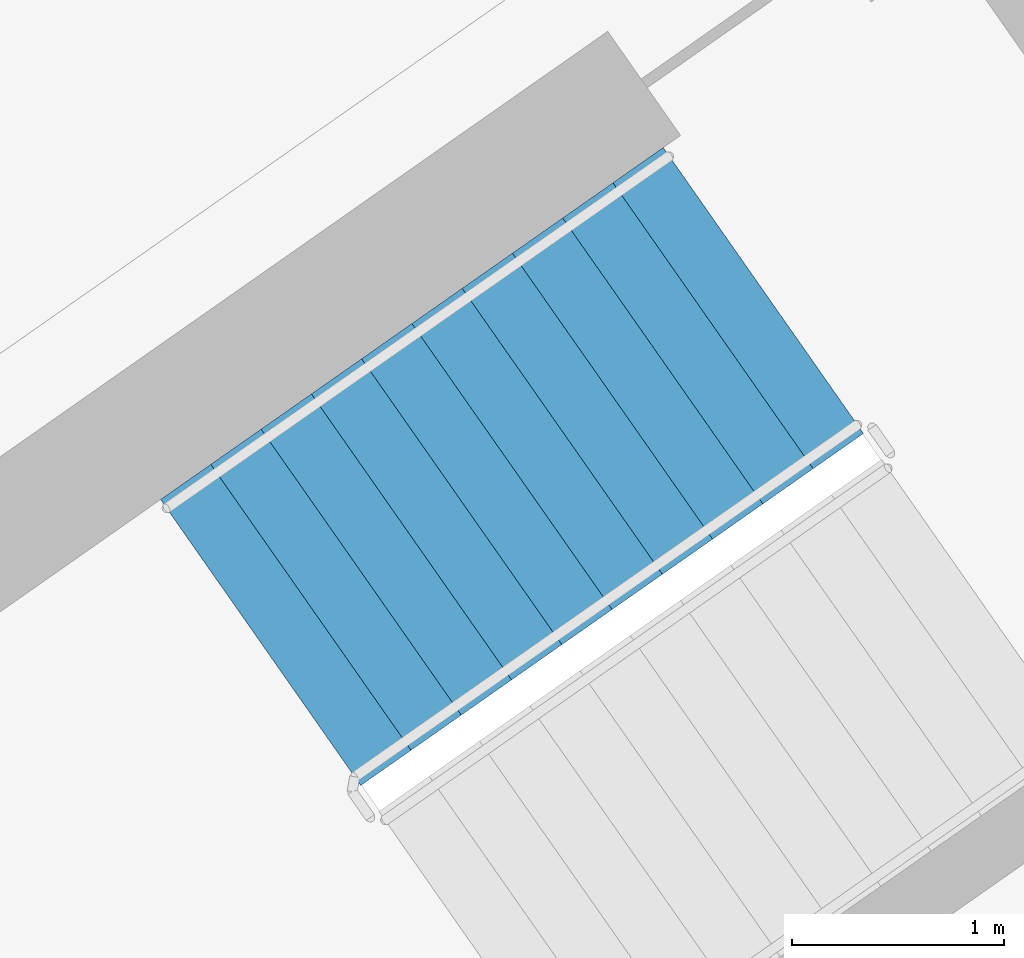
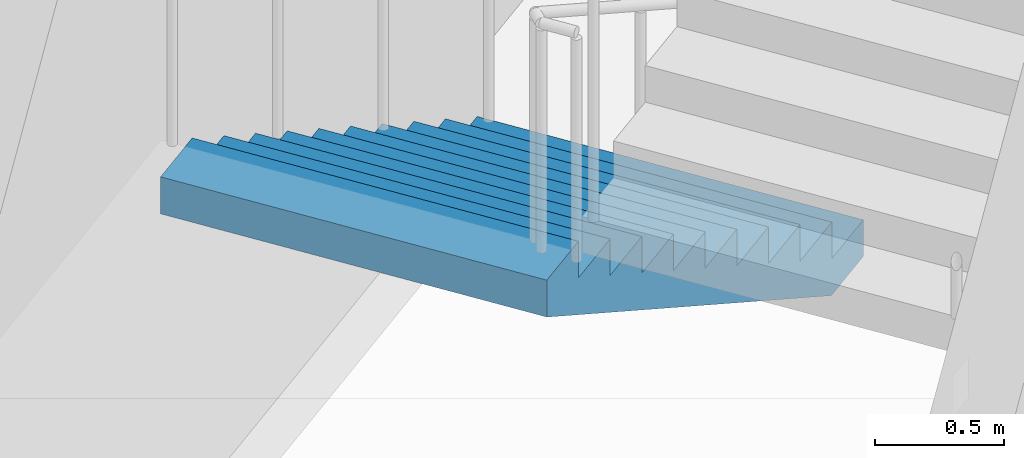
# One storey, part 17 of 28: 1 stair flight, 1 element without a shape of its own.
"""IFC4 building model written with IfcOpenShell, lengths in metres."""

from ifc_helpers import new_model, si_unit, direction, frame, origin, place, context, subcontext, project, spatial, faceted_brep, material, type_object, element, aggregate, save


model = new_model("IFC4")

# Units and contexts
model_context = context("Model", 3, precision=1e-05, world=origin(), true_north=direction((0.0, 1.0)))
body_context = subcontext(model_context, "Body", "Model", "MODEL_VIEW")
ifc_project = project(units=[si_unit("LENGTHUNIT", "METRE"), si_unit("AREAUNIT", "SQUARE_METRE"), si_unit("VOLUMEUNIT", "CUBIC_METRE"), si_unit("PLANEANGLEUNIT", "RADIAN"), si_unit("MASSUNIT", "GRAM", prefix="KILO")], contexts=[model_context])

# Site, building, storey
site_placement = place(None, origin())
site = spatial("IfcSite", under=ifc_project, at=site_placement, CompositionType="ELEMENT")
building_placement = place(site_placement, origin())
building = spatial("IfcBuilding", under=site, at=building_placement, Name="Qamariyya Broadcast Tower", CompositionType="ELEMENT")
storey_placement = place(building_placement, frame((0.0, 0.0, 230.300048828125)))
storey = spatial("IfcBuildingStorey", under=building, at=storey_placement, Name="L55", CompositionType="ELEMENT", Elevation=230.300048828125)

# Stair, stair flight
ifc_material = material(Name="Concrete C50/60", Category="concrete")
stair_type = type_object("IfcStairType", Name="Exit stair 22 risers of 173 mm", PredefinedType="HALF_TURN_STAIR", material=ifc_material)
stair_placement = place(storey_placement, origin())
stair = element("IfcStair", 1, at=stair_placement, inside=storey, type_object=stair_type, Name="L55 Stair E2", PredefinedType="HALF_TURN_STAIR")
stair_flight_type = type_object("IfcStairFlightType", Name="Exit stair flight 11 risers of 173 mm", PredefinedType="STRAIGHT", material=ifc_material)
stair_flight_placement = place(storey_placement, frame((40.558837890625, -47.685302734375, 0.0), z_axis=(0.0, 0.0, 1.0), x_axis=(-0.819152044289, -0.573576436351, 0.0)))
stair_flight = element("IfcStairFlight", 2, at=stair_flight_placement, type_object=stair_flight_type, Name="ST-E2 flight 1", NumberOfRisers=11, NumberOfTreads=10, PredefinedType="STRAIGHT", RiserHeight=0.172727273, TreadLength=0.29, context=body_context, shape_type="Brep", body=[
    faceted_brep([(0.0, 0.824951171875, 0.0), (0.0, 0.824951171875, 0.172607421875), (0.2900390625, 0.824951171875, 0.172607421875), (0.2900390625, 0.824951171875, 0.345458984375), (0.580078125, 0.824951171875, 0.345458984375), (0.580078125, 0.824951171875, 0.51806640625), (0.8701171875, 0.824951171875, 0.51806640625), (0.8701171875, 0.824951171875, 0.69091796875), (1.159912109375, 0.824951171875, 0.69091796875), (1.159912109375, 0.824951171875, 0.863525390625), (1.449951171875, 0.824951171875, 0.863525390625), (1.449951171875, 0.824951171875, 1.036376953125), (1.739990234375, 0.824951171875, 1.036376953125), (1.739990234375, 0.824951171875, 1.208984375), (2.030029296875, 0.824951171875, 1.208984375), (2.030029296875, 0.824951171875, 1.3818359375), (2.320068359375, 0.824951171875, 1.3818359375), (2.320068359375, 0.824951171875, 1.554443359375), (2.610107421875, 0.824951171875, 1.554443359375), (2.610107421875, 0.824951171875, 1.727294921875), (2.89990234375, 0.824951171875, 1.727294921875), (2.89990234375, 0.824951171875, 1.552734375), (0.29296875, 0.824951171875, 0.0), (0.29296875, -0.824951171875, 0.0), (2.89990234375, -0.824951171875, 1.552734375), (2.89990234375, -0.824951171875, 1.727294921875), (2.610107421875, -0.824951171875, 1.727294921875), (2.610107421875, -0.824951171875, 1.554443359375), (2.320068359375, -0.824951171875, 1.554443359375), (2.320068359375, -0.824951171875, 1.3818359375), (2.030029296875, -0.824951171875, 1.3818359375), (2.030029296875, -0.824951171875, 1.208984375), (1.739990234375, -0.824951171875, 1.208984375), (1.739990234375, -0.824951171875, 1.036376953125), (1.449951171875, -0.824951171875, 1.036376953125), (1.449951171875, -0.824951171875, 0.863525390625), (1.159912109375, -0.824951171875, 0.863525390625), (1.159912109375, -0.824951171875, 0.69091796875), (0.8701171875, -0.824951171875, 0.69091796875), (0.8701171875, -0.824951171875, 0.51806640625), (0.580078125, -0.824951171875, 0.51806640625), (0.580078125, -0.824951171875, 0.345458984375), (0.2900390625, -0.824951171875, 0.345458984375), (0.2900390625, -0.824951171875, 0.172607421875), (0.0, -0.824951171875, 0.172607421875), (0.0, -0.824951171875, 0.0), (0.0, 0.10009765625, 0.0), (0.0, 0.086669921875, 0.0), (0.0, 0.0732421875, 0.0), (0.0, 0.06005859375, 0.0), (0.0, 0.046630859375, 0.0), (0.0, 0.033447265625, 0.0), (0.0, 0.02001953125, 0.0), (0.0, 0.006591796875, 0.0), (0.0, -0.006591796875, 0.0), (0.0, -0.02001953125, 0.0), (0.0, -0.033447265625, 0.0), (0.0, -0.046630859375, 0.0), (0.0, -0.06005859375, 0.0), (0.0, -0.0732421875, 0.0), (0.0, -0.086669921875, 0.0), (0.0, -0.10009765625, 0.0), (0.0, -0.10009765625, 0.172607421875), (0.0, -0.086669921875, 0.172607421875), (0.0, -0.0732421875, 0.172607421875), (0.0, -0.06005859375, 0.172607421875), (0.0, -0.046630859375, 0.172607421875), (0.0, -0.033447265625, 0.172607421875), (0.0, -0.02001953125, 0.172607421875), (0.0, -0.006591796875, 0.172607421875), (0.0, 0.006591796875, 0.172607421875), (0.0, 0.02001953125, 0.172607421875), (0.0, 0.033447265625, 0.172607421875), (0.0, 0.046630859375, 0.172607421875), (0.0, 0.06005859375, 0.172607421875), (0.0, 0.0732421875, 0.172607421875), (0.0, 0.086669921875, 0.172607421875), (0.0, 0.10009765625, 0.172607421875), (0.2900390625, -0.10009765625, 0.172607421875), (0.2900390625, -0.086669921875, 0.172607421875), (0.2900390625, -0.0732421875, 0.172607421875), (0.2900390625, -0.06005859375, 0.172607421875), (0.2900390625, -0.046630859375, 0.172607421875), (0.2900390625, -0.033447265625, 0.172607421875), (0.2900390625, -0.02001953125, 0.172607421875), (0.2900390625, -0.006591796875, 0.172607421875), (0.2900390625, 0.006591796875, 0.172607421875), (0.2900390625, 0.02001953125, 0.172607421875), (0.2900390625, 0.033447265625, 0.172607421875), (0.2900390625, 0.046630859375, 0.172607421875), (0.2900390625, 0.06005859375, 0.172607421875), (0.2900390625, 0.0732421875, 0.172607421875), (0.2900390625, 0.086669921875, 0.172607421875), (0.2900390625, 0.10009765625, 0.172607421875), (0.2900390625, -0.10009765625, 0.345458984375), (0.2900390625, -0.086669921875, 0.345458984375), (0.2900390625, -0.0732421875, 0.345458984375), (0.2900390625, -0.06005859375, 0.345458984375), (0.2900390625, -0.046630859375, 0.345458984375), (0.2900390625, -0.033447265625, 0.345458984375), (0.2900390625, -0.02001953125, 0.345458984375), (0.2900390625, -0.006591796875, 0.345458984375), (0.2900390625, 0.006591796875, 0.345458984375), (0.2900390625, 0.02001953125, 0.345458984375), (0.2900390625, 0.033447265625, 0.345458984375), (0.2900390625, 0.046630859375, 0.345458984375), (0.2900390625, 0.06005859375, 0.345458984375), (0.2900390625, 0.0732421875, 0.345458984375), (0.2900390625, 0.086669921875, 0.345458984375), (0.2900390625, 0.10009765625, 0.345458984375), (0.580078125, -0.10009765625, 0.345458984375), (0.580078125, -0.086669921875, 0.345458984375), (0.580078125, -0.0732421875, 0.345458984375), (0.580078125, -0.06005859375, 0.345458984375), (0.580078125, -0.046630859375, 0.345458984375), (0.580078125, -0.033447265625, 0.345458984375), (0.580078125, -0.02001953125, 0.345458984375), (0.580078125, -0.006591796875, 0.345458984375), (0.580078125, 0.006591796875, 0.345458984375), (0.580078125, 0.02001953125, 0.345458984375), (0.580078125, 0.033447265625, 0.345458984375), (0.580078125, 0.046630859375, 0.345458984375), (0.580078125, 0.06005859375, 0.345458984375), (0.580078125, 0.0732421875, 0.345458984375), (0.580078125, 0.086669921875, 0.345458984375), (0.580078125, 0.10009765625, 0.345458984375), (0.580078125, -0.10009765625, 0.51806640625), (0.580078125, -0.086669921875, 0.51806640625), (0.580078125, -0.0732421875, 0.51806640625), (0.580078125, -0.06005859375, 0.51806640625), (0.580078125, -0.046630859375, 0.51806640625), (0.580078125, -0.033447265625, 0.51806640625), (0.580078125, -0.02001953125, 0.51806640625), (0.580078125, -0.006591796875, 0.51806640625), (0.580078125, 0.006591796875, 0.51806640625), (0.580078125, 0.02001953125, 0.51806640625), (0.580078125, 0.033447265625, 0.51806640625), (0.580078125, 0.046630859375, 0.51806640625), (0.580078125, 0.06005859375, 0.51806640625), (0.580078125, 0.0732421875, 0.51806640625), (0.580078125, 0.086669921875, 0.51806640625), (0.580078125, 0.10009765625, 0.51806640625), (0.8701171875, -0.10009765625, 0.51806640625), (0.8701171875, -0.086669921875, 0.51806640625), (0.8701171875, -0.0732421875, 0.51806640625), (0.8701171875, -0.06005859375, 0.51806640625), (0.8701171875, -0.046630859375, 0.51806640625), (0.8701171875, -0.033447265625, 0.51806640625), (0.8701171875, -0.02001953125, 0.51806640625), (0.8701171875, -0.006591796875, 0.51806640625), (0.8701171875, 0.006591796875, 0.51806640625), (0.8701171875, 0.02001953125, 0.51806640625), (0.8701171875, 0.033447265625, 0.51806640625), (0.8701171875, 0.046630859375, 0.51806640625), (0.8701171875, 0.06005859375, 0.51806640625), (0.8701171875, 0.0732421875, 0.51806640625), (0.8701171875, 0.086669921875, 0.51806640625), (0.8701171875, 0.10009765625, 0.51806640625), (0.8701171875, -0.10009765625, 0.69091796875), (0.8701171875, -0.086669921875, 0.69091796875), (0.8701171875, -0.0732421875, 0.69091796875), (0.8701171875, -0.06005859375, 0.69091796875), (0.8701171875, -0.046630859375, 0.69091796875), (0.8701171875, -0.033447265625, 0.69091796875), (0.8701171875, -0.02001953125, 0.69091796875), (0.8701171875, -0.006591796875, 0.69091796875), (0.8701171875, 0.006591796875, 0.69091796875), (0.8701171875, 0.02001953125, 0.69091796875), (0.8701171875, 0.033447265625, 0.69091796875), (0.8701171875, 0.046630859375, 0.69091796875), (0.8701171875, 0.06005859375, 0.69091796875), (0.8701171875, 0.0732421875, 0.69091796875), (0.8701171875, 0.086669921875, 0.69091796875), (0.8701171875, 0.10009765625, 0.69091796875), (1.159912109375, -0.10009765625, 0.69091796875), (1.159912109375, -0.086669921875, 0.69091796875), (1.159912109375, -0.0732421875, 0.69091796875), (1.159912109375, -0.06005859375, 0.69091796875), (1.159912109375, -0.046630859375, 0.69091796875), (1.159912109375, -0.033447265625, 0.69091796875), (1.159912109375, -0.02001953125, 0.69091796875), (1.159912109375, -0.006591796875, 0.69091796875), (1.159912109375, 0.006591796875, 0.69091796875), (1.159912109375, 0.02001953125, 0.69091796875), (1.159912109375, 0.033447265625, 0.69091796875), (1.159912109375, 0.046630859375, 0.69091796875), (1.159912109375, 0.06005859375, 0.69091796875), (1.159912109375, 0.0732421875, 0.69091796875), (1.159912109375, 0.086669921875, 0.69091796875), (1.159912109375, 0.10009765625, 0.69091796875), (1.159912109375, -0.10009765625, 0.863525390625), (1.159912109375, -0.086669921875, 0.863525390625), (1.159912109375, -0.0732421875, 0.863525390625), (1.159912109375, -0.06005859375, 0.863525390625), (1.159912109375, -0.046630859375, 0.863525390625), (1.159912109375, -0.033447265625, 0.863525390625), (1.159912109375, -0.02001953125, 0.863525390625), (1.159912109375, -0.006591796875, 0.863525390625), (1.159912109375, 0.006591796875, 0.863525390625), (1.159912109375, 0.02001953125, 0.863525390625), (1.159912109375, 0.033447265625, 0.863525390625), (1.159912109375, 0.046630859375, 0.863525390625), (1.159912109375, 0.06005859375, 0.863525390625), (1.159912109375, 0.0732421875, 0.863525390625), (1.159912109375, 0.086669921875, 0.863525390625), (1.159912109375, 0.10009765625, 0.863525390625), (1.449951171875, -0.10009765625, 0.863525390625), (1.449951171875, -0.086669921875, 0.863525390625), (1.449951171875, -0.0732421875, 0.863525390625), (1.449951171875, -0.06005859375, 0.863525390625), (1.449951171875, -0.046630859375, 0.863525390625), (1.449951171875, -0.033447265625, 0.863525390625), (1.449951171875, -0.02001953125, 0.863525390625), (1.449951171875, -0.006591796875, 0.863525390625), (1.449951171875, 0.006591796875, 0.863525390625), (1.449951171875, 0.02001953125, 0.863525390625), (1.449951171875, 0.033447265625, 0.863525390625), (1.449951171875, 0.046630859375, 0.863525390625), (1.449951171875, 0.06005859375, 0.863525390625), (1.449951171875, 0.0732421875, 0.863525390625), (1.449951171875, 0.086669921875, 0.863525390625), (1.449951171875, 0.10009765625, 0.863525390625), (1.449951171875, -0.10009765625, 1.036376953125), (1.449951171875, -0.086669921875, 1.036376953125), (1.449951171875, -0.0732421875, 1.036376953125), (1.449951171875, -0.06005859375, 1.036376953125), (1.449951171875, -0.046630859375, 1.036376953125), (1.449951171875, -0.033447265625, 1.036376953125), (1.449951171875, -0.02001953125, 1.036376953125), (1.449951171875, -0.006591796875, 1.036376953125), (1.449951171875, 0.006591796875, 1.036376953125), (1.449951171875, 0.02001953125, 1.036376953125), (1.449951171875, 0.033447265625, 1.036376953125), (1.449951171875, 0.046630859375, 1.036376953125), (1.449951171875, 0.06005859375, 1.036376953125), (1.449951171875, 0.0732421875, 1.036376953125), (1.449951171875, 0.086669921875, 1.036376953125), (1.449951171875, 0.10009765625, 1.036376953125), (1.739990234375, -0.10009765625, 1.036376953125), (1.739990234375, -0.086669921875, 1.036376953125), (1.739990234375, -0.0732421875, 1.036376953125), (1.739990234375, -0.06005859375, 1.036376953125), (1.739990234375, -0.046630859375, 1.036376953125), (1.739990234375, -0.033447265625, 1.036376953125), (1.739990234375, -0.02001953125, 1.036376953125), (1.739990234375, -0.006591796875, 1.036376953125), (1.739990234375, 0.006591796875, 1.036376953125), (1.739990234375, 0.02001953125, 1.036376953125), (1.739990234375, 0.033447265625, 1.036376953125), (1.739990234375, 0.046630859375, 1.036376953125), (1.739990234375, 0.06005859375, 1.036376953125), (1.739990234375, 0.0732421875, 1.036376953125), (1.739990234375, 0.086669921875, 1.036376953125), (1.739990234375, 0.10009765625, 1.036376953125), (1.739990234375, -0.10009765625, 1.208984375), (1.739990234375, -0.086669921875, 1.208984375), (1.739990234375, -0.0732421875, 1.208984375), (1.739990234375, -0.06005859375, 1.208984375), (1.739990234375, -0.046630859375, 1.208984375), (1.739990234375, -0.033447265625, 1.208984375), (1.739990234375, -0.02001953125, 1.208984375), (1.739990234375, -0.006591796875, 1.208984375), (1.739990234375, 0.006591796875, 1.208984375), (1.739990234375, 0.02001953125, 1.208984375), (1.739990234375, 0.033447265625, 1.208984375), (1.739990234375, 0.046630859375, 1.208984375), (1.739990234375, 0.06005859375, 1.208984375), (1.739990234375, 0.0732421875, 1.208984375), (1.739990234375, 0.086669921875, 1.208984375), (1.739990234375, 0.10009765625, 1.208984375), (2.030029296875, -0.10009765625, 1.208984375), (2.030029296875, -0.086669921875, 1.208984375), (2.030029296875, -0.0732421875, 1.208984375), (2.030029296875, -0.06005859375, 1.208984375), (2.030029296875, -0.046630859375, 1.208984375), (2.030029296875, -0.033447265625, 1.208984375), (2.030029296875, -0.02001953125, 1.208984375), (2.030029296875, -0.006591796875, 1.208984375), (2.030029296875, 0.006591796875, 1.208984375), (2.030029296875, 0.02001953125, 1.208984375), (2.030029296875, 0.033447265625, 1.208984375), (2.030029296875, 0.046630859375, 1.208984375), (2.030029296875, 0.06005859375, 1.208984375), (2.030029296875, 0.0732421875, 1.208984375), (2.030029296875, 0.086669921875, 1.208984375), (2.030029296875, 0.10009765625, 1.208984375), (2.030029296875, -0.10009765625, 1.3818359375), (2.030029296875, -0.086669921875, 1.3818359375), (2.030029296875, -0.0732421875, 1.3818359375), (2.030029296875, -0.06005859375, 1.3818359375), (2.030029296875, -0.046630859375, 1.3818359375), (2.030029296875, -0.033447265625, 1.3818359375), (2.030029296875, -0.02001953125, 1.3818359375), (2.030029296875, -0.006591796875, 1.3818359375), (2.030029296875, 0.006591796875, 1.3818359375), (2.030029296875, 0.02001953125, 1.3818359375), (2.030029296875, 0.033447265625, 1.3818359375), (2.030029296875, 0.046630859375, 1.3818359375), (2.030029296875, 0.06005859375, 1.3818359375), (2.030029296875, 0.0732421875, 1.3818359375), (2.030029296875, 0.086669921875, 1.3818359375), (2.030029296875, 0.10009765625, 1.3818359375), (2.320068359375, -0.10009765625, 1.3818359375), (2.320068359375, -0.086669921875, 1.3818359375), (2.320068359375, -0.0732421875, 1.3818359375), (2.320068359375, -0.06005859375, 1.3818359375), (2.320068359375, -0.046630859375, 1.3818359375), (2.320068359375, -0.033447265625, 1.3818359375), (2.320068359375, -0.02001953125, 1.3818359375), (2.320068359375, -0.006591796875, 1.3818359375), (2.320068359375, 0.006591796875, 1.3818359375), (2.320068359375, 0.02001953125, 1.3818359375), (2.320068359375, 0.033447265625, 1.3818359375), (2.320068359375, 0.046630859375, 1.3818359375), (2.320068359375, 0.06005859375, 1.3818359375), (2.320068359375, 0.0732421875, 1.3818359375), (2.320068359375, 0.086669921875, 1.3818359375), (2.320068359375, 0.10009765625, 1.3818359375), (2.320068359375, -0.10009765625, 1.554443359375), (2.320068359375, -0.086669921875, 1.554443359375), (2.320068359375, -0.0732421875, 1.554443359375), (2.320068359375, -0.06005859375, 1.554443359375), (2.320068359375, -0.046630859375, 1.554443359375), (2.320068359375, -0.033447265625, 1.554443359375), (2.320068359375, -0.02001953125, 1.554443359375), (2.320068359375, -0.006591796875, 1.554443359375), (2.320068359375, 0.006591796875, 1.554443359375), (2.320068359375, 0.02001953125, 1.554443359375), (2.320068359375, 0.033447265625, 1.554443359375), (2.320068359375, 0.046630859375, 1.554443359375), (2.320068359375, 0.06005859375, 1.554443359375), (2.320068359375, 0.0732421875, 1.554443359375), (2.320068359375, 0.086669921875, 1.554443359375), (2.320068359375, 0.10009765625, 1.554443359375), (2.610107421875, -0.10009765625, 1.554443359375), (2.610107421875, -0.086669921875, 1.554443359375), (2.610107421875, -0.0732421875, 1.554443359375), (2.610107421875, -0.06005859375, 1.554443359375), (2.610107421875, -0.046630859375, 1.554443359375), (2.610107421875, -0.033447265625, 1.554443359375), (2.610107421875, -0.02001953125, 1.554443359375), (2.610107421875, -0.006591796875, 1.554443359375), (2.610107421875, 0.006591796875, 1.554443359375), (2.610107421875, 0.02001953125, 1.554443359375), (2.610107421875, 0.033447265625, 1.554443359375), (2.610107421875, 0.046630859375, 1.554443359375), (2.610107421875, 0.06005859375, 1.554443359375), (2.610107421875, 0.0732421875, 1.554443359375), (2.610107421875, 0.086669921875, 1.554443359375), (2.610107421875, 0.10009765625, 1.554443359375), (2.610107421875, -0.10009765625, 1.727294921875), (2.610107421875, -0.086669921875, 1.727294921875), (2.610107421875, -0.0732421875, 1.727294921875), (2.610107421875, -0.06005859375, 1.727294921875), (2.610107421875, -0.046630859375, 1.727294921875), (2.610107421875, -0.033447265625, 1.727294921875), (2.610107421875, -0.02001953125, 1.727294921875), (2.610107421875, -0.006591796875, 1.727294921875), (2.610107421875, 0.006591796875, 1.727294921875), (2.610107421875, 0.02001953125, 1.727294921875), (2.610107421875, 0.033447265625, 1.727294921875), (2.610107421875, 0.046630859375, 1.727294921875), (2.610107421875, 0.06005859375, 1.727294921875), (2.610107421875, 0.0732421875, 1.727294921875), (2.610107421875, 0.086669921875, 1.727294921875), (2.610107421875, 0.10009765625, 1.727294921875), (2.89990234375, -0.10009765625, 1.727294921875), (2.89990234375, -0.086669921875, 1.727294921875), (2.89990234375, -0.0732421875, 1.727294921875), (2.89990234375, -0.06005859375, 1.727294921875), (2.89990234375, -0.046630859375, 1.727294921875), (2.89990234375, -0.033447265625, 1.727294921875), (2.89990234375, -0.02001953125, 1.727294921875), (2.89990234375, -0.006591796875, 1.727294921875), (2.89990234375, 0.006591796875, 1.727294921875), (2.89990234375, 0.02001953125, 1.727294921875), (2.89990234375, 0.033447265625, 1.727294921875), (2.89990234375, 0.046630859375, 1.727294921875), (2.89990234375, 0.06005859375, 1.727294921875), (2.89990234375, 0.0732421875, 1.727294921875), (2.89990234375, 0.086669921875, 1.727294921875), (2.89990234375, 0.10009765625, 1.727294921875), (2.89990234375, -0.10009765625, 1.552734375), (2.89990234375, -0.086669921875, 1.552734375), (2.89990234375, -0.0732421875, 1.552734375), (2.89990234375, -0.06005859375, 1.552734375), (2.89990234375, -0.046630859375, 1.552734375), (2.89990234375, -0.033447265625, 1.552734375), (2.89990234375, -0.02001953125, 1.552734375), (2.89990234375, -0.006591796875, 1.552734375), (2.89990234375, 0.006591796875, 1.552734375), (2.89990234375, 0.02001953125, 1.552734375), (2.89990234375, 0.033447265625, 1.552734375), (2.89990234375, 0.046630859375, 1.552734375), (2.89990234375, 0.06005859375, 1.552734375), (2.89990234375, 0.0732421875, 1.552734375), (2.89990234375, 0.086669921875, 1.552734375), (2.89990234375, 0.10009765625, 1.552734375), (0.29296875, -0.10009765625, 0.0), (0.29296875, -0.086669921875, 0.0), (0.29296875, -0.0732421875, 0.0), (0.29296875, -0.06005859375, 0.0), (0.29296875, -0.046630859375, 0.0), (0.29296875, -0.033447265625, 0.0), (0.29296875, -0.02001953125, 0.0), (0.29296875, -0.006591796875, 0.0), (0.29296875, 0.006591796875, 0.0), (0.29296875, 0.02001953125, 0.0), (0.29296875, 0.033447265625, 0.0), (0.29296875, 0.046630859375, 0.0), (0.29296875, 0.06005859375, 0.0), (0.29296875, 0.0732421875, 0.0), (0.29296875, 0.086669921875, 0.0), (0.29296875, 0.10009765625, 0.0)], [[[0, 1, 2, 3, 4, 5, 6, 7, 8, 9, 10, 11, 12, 13, 14, 15, 16, 17, 18, 19, 20, 21, 22]], [[23, 24, 25, 26, 27, 28, 29, 30, 31, 32, 33, 34, 35, 36, 37, 38, 39, 40, 41, 42, 43, 44, 45]], [[0, 46, 47, 48, 49, 50, 51, 52, 53, 54, 55, 56, 57, 58, 59, 60, 61, 45, 44, 62, 63, 64, 65, 66, 67, 68, 69, 70, 71, 72, 73, 74, 75, 76, 77, 1]], [[1, 77, 76, 75, 74, 73, 72, 71, 70, 69, 68, 67, 66, 65, 64, 63, 62, 44, 43, 78, 79, 80, 81, 82, 83, 84, 85, 86, 87, 88, 89, 90, 91, 92, 93, 2]], [[2, 93, 92, 91, 90, 89, 88, 87, 86, 85, 84, 83, 82, 81, 80, 79, 78, 43, 42, 94, 95, 96, 97, 98, 99, 100, 101, 102, 103, 104, 105, 106, 107, 108, 109, 3]], [[3, 109, 108, 107, 106, 105, 104, 103, 102, 101, 100, 99, 98, 97, 96, 95, 94, 42, 41, 110, 111, 112, 113, 114, 115, 116, 117, 118, 119, 120, 121, 122, 123, 124, 125, 4]], [[4, 125, 124, 123, 122, 121, 120, 119, 118, 117, 116, 115, 114, 113, 112, 111, 110, 41, 40, 126, 127, 128, 129, 130, 131, 132, 133, 134, 135, 136, 137, 138, 139, 140, 141, 5]], [[5, 141, 140, 139, 138, 137, 136, 135, 134, 133, 132, 131, 130, 129, 128, 127, 126, 40, 39, 142, 143, 144, 145, 146, 147, 148, 149, 150, 151, 152, 153, 154, 155, 156, 157, 6]], [[6, 157, 156, 155, 154, 153, 152, 151, 150, 149, 148, 147, 146, 145, 144, 143, 142, 39, 38, 158, 159, 160, 161, 162, 163, 164, 165, 166, 167, 168, 169, 170, 171, 172, 173, 7]], [[7, 173, 172, 171, 170, 169, 168, 167, 166, 165, 164, 163, 162, 161, 160, 159, 158, 38, 37, 174, 175, 176, 177, 178, 179, 180, 181, 182, 183, 184, 185, 186, 187, 188, 189, 8]], [[8, 189, 188, 187, 186, 185, 184, 183, 182, 181, 180, 179, 178, 177, 176, 175, 174, 37, 36, 190, 191, 192, 193, 194, 195, 196, 197, 198, 199, 200, 201, 202, 203, 204, 205, 9]], [[9, 205, 204, 203, 202, 201, 200, 199, 198, 197, 196, 195, 194, 193, 192, 191, 190, 36, 35, 206, 207, 208, 209, 210, 211, 212, 213, 214, 215, 216, 217, 218, 219, 220, 221, 10]], [[10, 221, 220, 219, 218, 217, 216, 215, 214, 213, 212, 211, 210, 209, 208, 207, 206, 35, 34, 222, 223, 224, 225, 226, 227, 228, 229, 230, 231, 232, 233, 234, 235, 236, 237, 11]], [[11, 237, 236, 235, 234, 233, 232, 231, 230, 229, 228, 227, 226, 225, 224, 223, 222, 34, 33, 238, 239, 240, 241, 242, 243, 244, 245, 246, 247, 248, 249, 250, 251, 252, 253, 12]], [[12, 253, 252, 251, 250, 249, 248, 247, 246, 245, 244, 243, 242, 241, 240, 239, 238, 33, 32, 254, 255, 256, 257, 258, 259, 260, 261, 262, 263, 264, 265, 266, 267, 268, 269, 13]], [[13, 269, 268, 267, 266, 265, 264, 263, 262, 261, 260, 259, 258, 257, 256, 255, 254, 32, 31, 270, 271, 272, 273, 274, 275, 276, 277, 278, 279, 280, 281, 282, 283, 284, 285, 14]], [[14, 285, 284, 283, 282, 281, 280, 279, 278, 277, 276, 275, 274, 273, 272, 271, 270, 31, 30, 286, 287, 288, 289, 290, 291, 292, 293, 294, 295, 296, 297, 298, 299, 300, 301, 15]], [[15, 301, 300, 299, 298, 297, 296, 295, 294, 293, 292, 291, 290, 289, 288, 287, 286, 30, 29, 302, 303, 304, 305, 306, 307, 308, 309, 310, 311, 312, 313, 314, 315, 316, 317, 16]], [[16, 317, 316, 315, 314, 313, 312, 311, 310, 309, 308, 307, 306, 305, 304, 303, 302, 29, 28, 318, 319, 320, 321, 322, 323, 324, 325, 326, 327, 328, 329, 330, 331, 332, 333, 17]], [[17, 333, 332, 331, 330, 329, 328, 327, 326, 325, 324, 323, 322, 321, 320, 319, 318, 28, 27, 334, 335, 336, 337, 338, 339, 340, 341, 342, 343, 344, 345, 346, 347, 348, 349, 18]], [[18, 349, 348, 347, 346, 345, 344, 343, 342, 341, 340, 339, 338, 337, 336, 335, 334, 27, 26, 350, 351, 352, 353, 354, 355, 356, 357, 358, 359, 360, 361, 362, 363, 364, 365, 19]], [[19, 365, 364, 363, 362, 361, 360, 359, 358, 357, 356, 355, 354, 353, 352, 351, 350, 26, 25, 366, 367, 368, 369, 370, 371, 372, 373, 374, 375, 376, 377, 378, 379, 380, 381, 20]], [[20, 381, 380, 379, 378, 377, 376, 375, 374, 373, 372, 371, 370, 369, 368, 367, 366, 25, 24, 382, 383, 384, 385, 386, 387, 388, 389, 390, 391, 392, 393, 394, 395, 396, 397, 21]], [[21, 397, 396, 395, 394, 393, 392, 391, 390, 389, 388, 387, 386, 385, 384, 383, 382, 24, 23, 398, 399, 400, 401, 402, 403, 404, 405, 406, 407, 408, 409, 410, 411, 412, 413, 22]], [[22, 413, 412, 411, 410, 409, 408, 407, 406, 405, 404, 403, 402, 401, 400, 399, 398, 23, 45, 61, 60, 59, 58, 57, 56, 55, 54, 53, 52, 51, 50, 49, 48, 47, 46, 0]]]),
])
aggregate(stair, [stair_flight])

save(model, "model.ifc")
